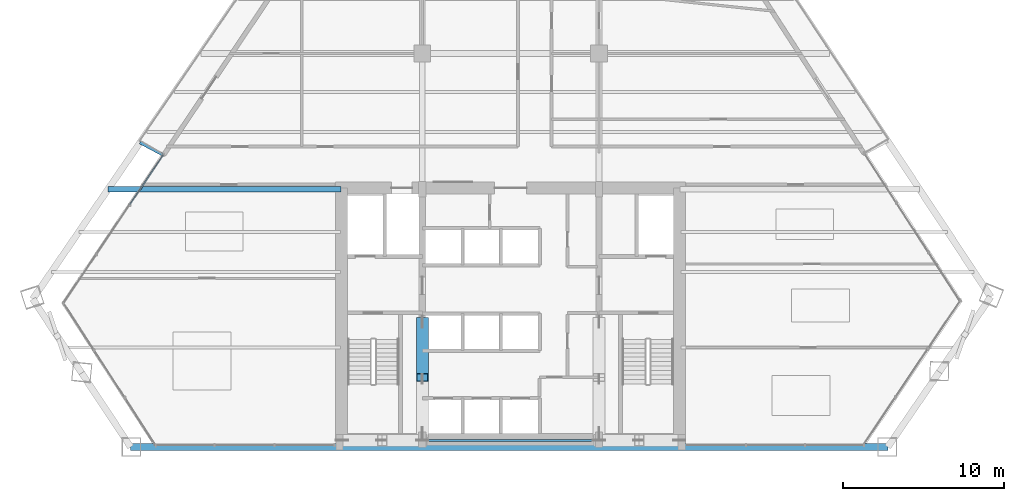
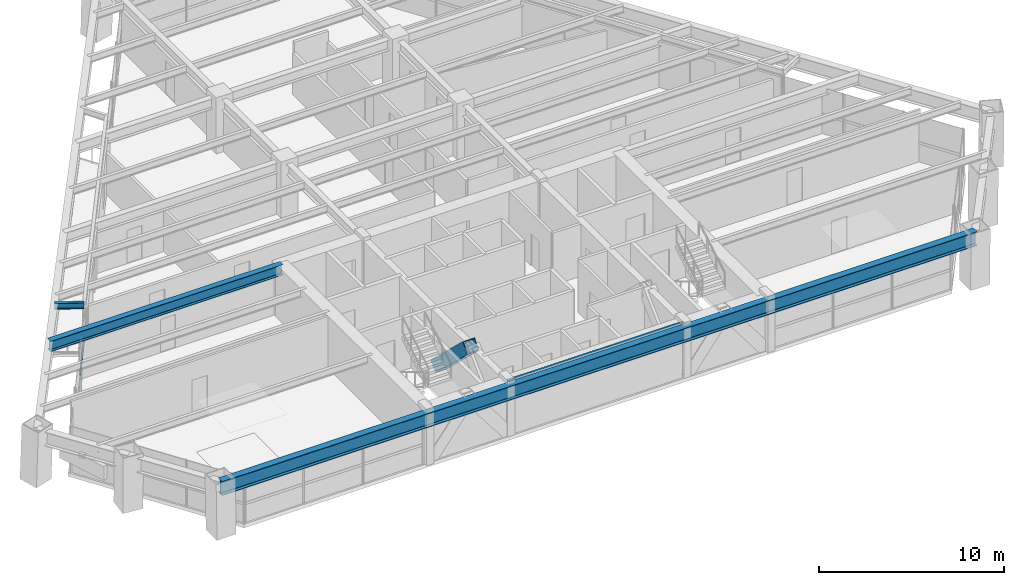
# One storey, part 3 of 14: 4 beams, 2 members, 1 element without a shape of its own.
"""IFC4 building model written with IfcOpenShell, lengths in metres."""

from ifc_helpers import new_model, si_unit, direction, frame, origin, origin_2d, place, context, subcontext, project, spatial, rectangle, hollow_rectangle, i_section, extrude, source, transform, mapped, material, material_profile, profile_set, type_object, type_shapes, element, aggregate, save


model = new_model("IFC4")

# Units and contexts
model_context = context("Model", 3, precision=1e-05, world=origin(), true_north=direction((0.0, 1.0)))
body_context = subcontext(model_context, "Body", "Model", "MODEL_VIEW")
ifc_project = project(units=[si_unit("LENGTHUNIT", "METRE"), si_unit("AREAUNIT", "SQUARE_METRE"), si_unit("VOLUMEUNIT", "CUBIC_METRE"), si_unit("PLANEANGLEUNIT", "RADIAN"), si_unit("MASSUNIT", "GRAM", prefix="KILO")], contexts=[model_context])

# Site, building, storey
site_placement = place(None, origin())
site = spatial("IfcSite", under=ifc_project, at=site_placement, CompositionType="ELEMENT")
building_placement = place(site_placement, origin())
building = spatial("IfcBuilding", under=site, at=building_placement, Name="Varnakhor Terracotta Tower", CompositionType="ELEMENT")
storey_placement = place(building_placement, frame((0.0, 0.0, 95.10009765625)))
storey = spatial("IfcBuildingStorey", under=building, at=storey_placement, Name="L23", CompositionType="ELEMENT", Elevation=95.10009765625)

# Beam
ifc_material_1 = material(Name="Steel S355", Category="steel")
ifc_material_profile_1 = material_profile(ifc_material_1, i_section(OverallWidth=0.1201171875, OverallDepth=0.239990234375, WebThickness=0.006103515625, FlangeThickness=0.009765625, FilletRadius=0.01806640625, at=origin_2d()), Name="IPE240")
ifc_profile_set_1 = profile_set([ifc_material_profile_1], Name="Steel S355")
beam_type_1 = type_object("IfcBeamType", Name="LNT-IPE240", PredefinedType="LINTEL", material=ifc_profile_set_1)
shared_shape_1 = source(origin(), body_context, "Body", "SweptSolid", [
    extrude(i_section(OverallWidth=0.1201171875, OverallDepth=0.239990234375, WebThickness=0.006103515625, FlangeThickness=0.009765625, FilletRadius=0.01806640625, at=origin_2d()), origin(), (0.0, 0.0, 1.0), 11.0),
])
type_shapes(beam_type_1, [shared_shape_1])
beam_1_placement = place(storey_placement, frame((-5.5, 0.419921875, 3.329833984375), z_axis=(1.0, 0.0, 0.0), x_axis=(0.0, 1.0, 0.0)))
element("IfcBeam", 1, at=beam_1_placement, inside=storey, type_object=beam_type_1, Name="L23 Core South Coupling Lintel", PredefinedType="LINTEL", context=body_context, shape_type="MappedRepresentation", body=[
    mapped(shared_shape_1, transform((0.0, 0.0, 0.0), scale=1.0)),
])

# Member
ifc_material_2 = material(Name="Steel S460", Category="steel")
ifc_material_profile_2 = material_profile(ifc_material_2, hollow_rectangle(XDim=0.75, YDim=0.75, WallThickness=0.044921875, at=origin_2d()), Name="HSS750X750X45")
ifc_profile_set_2 = profile_set([ifc_material_profile_2], Name="Steel S460")
member_type_1 = type_object("IfcMemberType", Name="MBR-MEGA-750", PredefinedType="BRACE", material=ifc_profile_set_2)
shared_shape_2 = source(origin(), body_context, "Body", "SweptSolid", [
    extrude(hollow_rectangle(XDim=0.75, YDim=0.75, WallThickness=0.044921875, at=origin_2d()), origin(), (0.0, 0.0, 1.0), 4.792236328125),
])
member_1_placement = place(storey_placement, frame((-5.5, 7.800048828125, 0.0), z_axis=(0.0, -0.72515968173, 0.688580740359), x_axis=(1.0, 0.0, 0.0)))
element("IfcMember", 2, at=member_1_placement, inside=storey, type_object=member_type_1, Name="L23 Core Coupled Brace CWWB", PredefinedType="BRACE", context=body_context, shape_type="MappedRepresentation", body=[
    mapped(shared_shape_2, transform((0.0, 0.0, 0.0), scale=1.0)),
])

# Beams
ifc_material_profile_3 = material_profile(ifc_material_1, i_section(OverallWidth=0.41796875, OverallDepth=0.927001953125, WebThickness=0.01904296875, FlangeThickness=0.031982421875, FilletRadius=0.01806640625, at=origin_2d()), Name="W36X231")
ifc_profile_set_3 = profile_set([ifc_material_profile_3], Name="Steel S355")
beam_type_2 = type_object("IfcBeamType", Name="BM-W36X231", PredefinedType="BEAM", material=ifc_profile_set_3)
shared_shape_3 = source(origin(), body_context, "Body", "SweptSolid", [
    extrude(i_section(OverallWidth=0.41796875, OverallDepth=0.927001953125, WebThickness=0.01904296875, FlangeThickness=0.031982421875, FilletRadius=0.01806640625, at=origin_2d()), origin(), (0.0, 0.0, 1.0), 47.140380859375),
])
beam_2_placement = place(storey_placement, frame((-23.65869140625, 0.0, 2.986328125), z_axis=(1.0, 0.0, 0.0), x_axis=(0.0, 1.0, 0.0)))
element("IfcBeam", 3, at=beam_2_placement, inside=storey, type_object=beam_type_2, Name="L23 Perimeter Spandrel 1", PredefinedType="BEAM", context=body_context, shape_type="MappedRepresentation", body=[
    mapped(shared_shape_3, transform((0.0, 0.0, 0.0), scale=1.0)),
])
ifc_material_profile_4 = material_profile(ifc_material_1, i_section(OverallWidth=0.35498046875, OverallDepth=0.695068359375, WebThickness=0.014892578125, FlangeThickness=0.02490234375, FilletRadius=0.01806640625, at=origin_2d()), Name="W27X146")
ifc_profile_set_4 = profile_set([ifc_material_profile_4], Name="Steel S355")
beam_type_3 = type_object("IfcBeamType", Name="BM-W27X146", PredefinedType="BEAM", material=ifc_profile_set_4)
shared_shape_4 = source(origin(), body_context, "Body", "SweptSolid", [
    extrude(i_section(OverallWidth=0.35498046875, OverallDepth=0.695068359375, WebThickness=0.014892578125, FlangeThickness=0.02490234375, FilletRadius=0.01806640625, at=origin_2d()), origin(), (0.0, 0.0, 1.0), 14.513427734375),
])
beam_3_placement = place(storey_placement, frame((-25.0634765625, 16.050048828125, 3.102294921875), z_axis=(1.0, 0.0, 0.0), x_axis=(0.0, 1.0, 0.0)))
element("IfcBeam", 4, at=beam_3_placement, inside=storey, type_object=beam_type_3, Name="L23 Wing Girder W", PredefinedType="BEAM", context=body_context, shape_type="MappedRepresentation", body=[
    mapped(shared_shape_4, transform((0.0, 0.0, 0.0), scale=1.0)),
])

# Curtain wall, member
ifc_material_3 = material(Name="Anodised Aluminium Curtain Wall System", Category="aluminium")
curtain_wall_type = type_object("IfcCurtainWallType", Name="CW-SYS-LOW-OFFICE", PredefinedType="NOTDEFINED", material=ifc_material_3)
curtain_wall_placement = place(storey_placement, origin())
curtain_wall = element("IfcCurtainWall", 5, at=curtain_wall_placement, inside=storey, type_object=curtain_wall_type, Name="L23 W Facet Curtain Wall 1", PredefinedType="NOTDEFINED")
ifc_material_4 = material(Name="Anodised Aluminium 6063-T6", Category="aluminium")
ifc_material_profile_5 = material_profile(ifc_material_4, rectangle(XDim=0.074951171875, YDim=0.1650390625, at=origin_2d()), Name="ALU TRANSOM 75x165")
ifc_profile_set_5 = profile_set([ifc_material_profile_5], Name="Anodised Aluminium 6063-T6")
member_type_2 = type_object("IfcMemberType", Name="CWT-02", PredefinedType="USERDEFINED", material=ifc_profile_set_5)
shared_shape_5 = source(origin(), body_context, "Body", "SweptSolid", [
    extrude(rectangle(XDim=0.074951171875, YDim=0.1650390625, at=origin_2d()), origin(), (0.0, 0.0, 1.0), 3.720947265625),
])
member_2_placement = place(storey_placement, frame((-23.702880859375, 15.0966796875, 1.2724609375), z_axis=(0.558041993816, 0.829812709675, 0.0), x_axis=(-0.829812709675, 0.558041993816, 0.0)))
member_2 = element("IfcMember", 6, at=member_2_placement, type_object=member_type_2, Name="L23 W Facet Curtain Wall 1 Transom 3", ObjectType="TRANSOM", PredefinedType="USERDEFINED", context=body_context, shape_type="MappedRepresentation", body=[
    mapped(shared_shape_5, transform((0.0, 0.0, 0.0), scale=1.0)),
])
aggregate(curtain_wall, [member_2])

# Beam
ifc_material_profile_6 = material_profile(ifc_material_1, i_section(OverallWidth=0.179931640625, OverallDepth=0.39990234375, WebThickness=0.008544921875, FlangeThickness=0.013427734375, FilletRadius=0.01806640625, at=origin_2d()), Name="IPE400")
ifc_profile_set_6 = profile_set([ifc_material_profile_6], Name="Steel S355")
beam_type_4 = type_object("IfcBeamType", Name="JST-IPE400", PredefinedType="JOIST", material=ifc_profile_set_6)
shared_shape_6 = source(origin(), body_context, "Body", "SweptSolid", [
    extrude(i_section(OverallWidth=0.179931640625, OverallDepth=0.39990234375, WebThickness=0.008544921875, FlangeThickness=0.013427734375, FilletRadius=0.01806640625, at=origin_2d()), origin(), (0.0, 0.0, 1.0), 1.6123046875),
])
beam_4_placement = place(storey_placement, frame((-21.649658203125, 18.196044921875, 3.25), z_axis=(-0.881601501741, 0.471994483155, 0.0), x_axis=(-0.471994483155, -0.881601501741, 0.0)))
element("IfcBeam", 7, at=beam_4_placement, inside=storey, type_object=beam_type_4, Name="L24 W Loggia Tie Beam 1", PredefinedType="JOIST", context=body_context, shape_type="MappedRepresentation", body=[
    mapped(shared_shape_6, transform((0.0, 0.0, 0.0), scale=1.0)),
])

save(model, "model.ifc")
